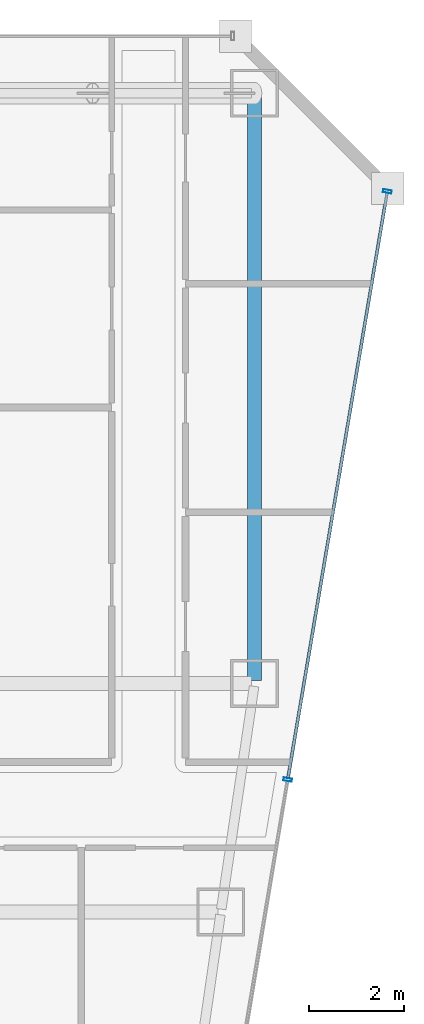
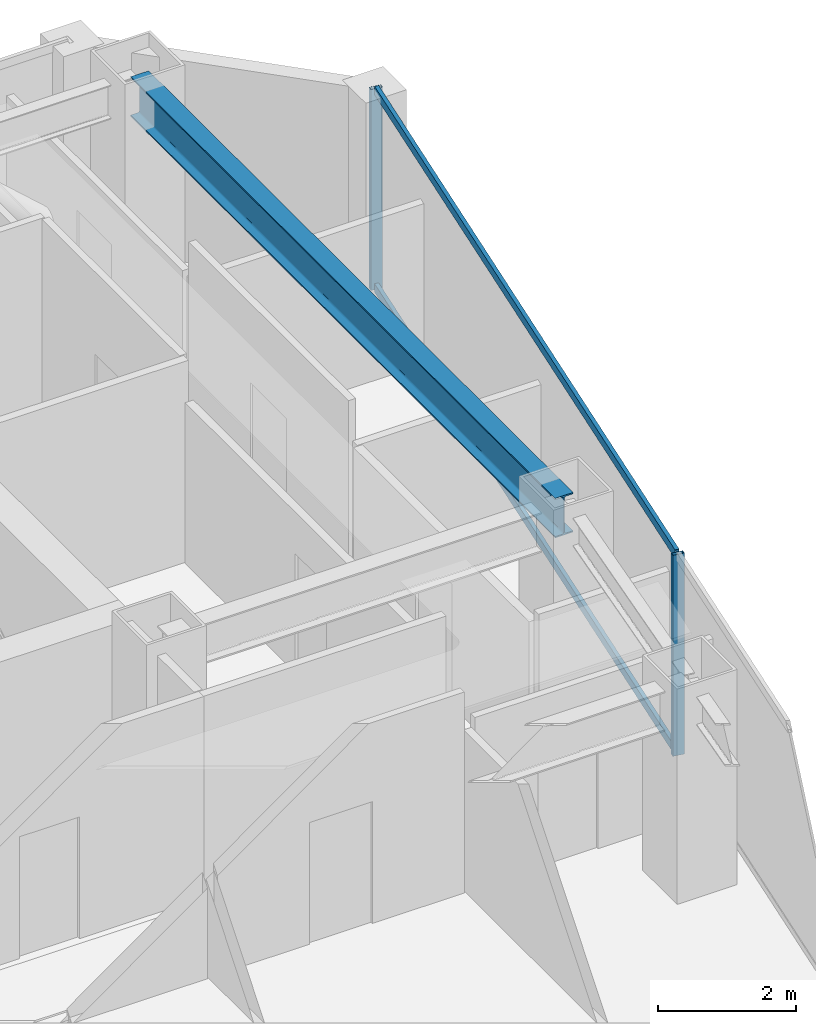
# One storey, part 19 of 31: 4 members, 1 beam, 1 element without a shape of its own.
"""IFC4 building model written with IfcOpenShell, lengths in metres."""

from ifc_helpers import new_model, si_unit, direction, frame, origin, origin_2d, place, context, subcontext, project, spatial, hollow_rectangle, i_section, extrude, material, material_profile, profile_set, type_object, element, aggregate, save


model = new_model("IFC4")

# Units and contexts
model_context = context("Model", 3, precision=1e-05, world=origin(), true_north=direction((0.0, 1.0)))
body_context = subcontext(model_context, "Body", "Model", "MODEL_VIEW")
ifc_project = project(units=[si_unit("LENGTHUNIT", "METRE"), si_unit("AREAUNIT", "SQUARE_METRE"), si_unit("VOLUMEUNIT", "CUBIC_METRE"), si_unit("PLANEANGLEUNIT", "RADIAN"), si_unit("MASSUNIT", "GRAM", prefix="KILO")], contexts=[model_context])

# Site, building, storey
site_placement = place(None, origin())
site = spatial("IfcSite", under=ifc_project, at=site_placement, CompositionType="ELEMENT")
building_placement = place(site_placement, origin())
building = spatial("IfcBuilding", under=site, at=building_placement, Name="Saevonmaru Cultural Tower", CompositionType="ELEMENT")
storey_placement = place(building_placement, frame((0.0, 0.0, 167.60009765625)))
storey = spatial("IfcBuildingStorey", under=building, at=storey_placement, Name="L37", CompositionType="ELEMENT", Elevation=167.60009765625)

# Beam
ifc_material_1 = material(Name="Steel SM355", Category="steel")
ifc_material_profile_1 = material_profile(ifc_material_1, i_section(OverallWidth=0.300048828125, OverallDepth=0.699951171875, WebThickness=0.012939453125, FlangeThickness=0.02392578125, FilletRadius=0.02587890625, at=origin_2d()), Name="H-700x300x13x24")
ifc_profile_set_1 = profile_set([ifc_material_profile_1], Name="Steel SM355")
beam_type = type_object("IfcBeamType", Name="BM-G-H700", PredefinedType="BEAM", material=ifc_profile_set_1)
beam_placement = place(storey_placement, frame((53.199951171875, 54.739990234375, 3.199951171875), z_axis=(0.0, -1.0, 0.0), x_axis=(1.0, 0.0, 0.0)))
element("IfcBeam", 1, at=beam_placement, inside=storey, type_object=beam_type, Name="L37 Spine Transverse Girder E", PredefinedType="BEAM", context=body_context, shape_type="SweptSolid", body=[
    extrude(i_section(OverallWidth=0.300048828125, OverallDepth=0.699951171875, WebThickness=0.012939453125, FlangeThickness=0.02392578125, FilletRadius=0.02587890625, at=origin_2d()), origin(), (0.0, 0.0, 1.0), 12.280029296875),
])

# Curtain wall, members
ifc_material_2 = material(Name="Satin Bronze Anodised Aluminium", Category="aluminium")
curtain_wall_type = type_object("IfcCurtainWallType", Name="CW-TYP-A", PredefinedType="NOTDEFINED", material=ifc_material_2)
curtain_wall_placement = place(storey_placement, origin())
curtain_wall = element("IfcCurtainWall", 2, at=curtain_wall_placement, inside=storey, type_object=curtain_wall_type, Name="L37 Unitised Curtain Wall E8", PredefinedType="NOTDEFINED")
ifc_material_profile_2 = material_profile(ifc_material_2, hollow_rectangle(XDim=0.06494140625, YDim=0.179931640625, WallThickness=0.00390625, at=origin_2d()), Name="ALU-MULL-180x65x4")
ifc_profile_set_2 = profile_set([ifc_material_profile_2], Name="Satin Bronze Anodised Aluminium")
member_type_1 = type_object("IfcMemberType", Name="ML-CW-180x65", PredefinedType="MULLION", material=ifc_profile_set_2)
member_1_placement = place(storey_placement, frame((53.8974609375, 40.38037109375, 0.0), z_axis=(0.0, 0.0, 1.0), x_axis=(0.16692169721, 0.985970155228, 0.0)))
member_1 = element("IfcMember", 3, at=member_1_placement, type_object=member_type_1, Name="CW-TW-L37-E8 mullion 3", PredefinedType="MULLION", context=body_context, shape_type="SweptSolid", body=[
    extrude(hollow_rectangle(XDim=0.06494140625, YDim=0.179931640625, WallThickness=0.00390625, at=origin_2d()), origin(), (0.0, 0.0, 1.0), 3.5498046875),
])
member_2_placement = place(storey_placement, frame((55.989990234375, 52.74072265625, 0.0), z_axis=(0.0, 0.0, 1.0), x_axis=(0.16692169721, 0.985970155228, 0.0)))
member_2 = element("IfcMember", 4, at=member_2_placement, type_object=member_type_1, Name="CW-TW-L37-E8 mullion 4", PredefinedType="MULLION", context=body_context, shape_type="SweptSolid", body=[
    extrude(hollow_rectangle(XDim=0.06494140625, YDim=0.179931640625, WallThickness=0.00390625, at=origin_2d()), origin(), (0.0, 0.0, 1.0), 3.5498046875),
])
ifc_material_profile_3 = material_profile(ifc_material_2, hollow_rectangle(XDim=0.06494140625, YDim=0.14990234375, WallThickness=0.00390625, at=origin_2d()), Name="ALU-TRAN-150x65x4")
ifc_profile_set_3 = profile_set([ifc_material_profile_3], Name="Satin Bronze Anodised Aluminium")
member_type_2 = type_object("IfcMemberType", Name="TR-CW-150x65", PredefinedType="USERDEFINED", material=ifc_profile_set_3)
member_3_placement = place(storey_placement, frame((53.90283203125, 40.412353515625, 0.032470703125), z_axis=(0.166925351203, 0.985969536611, 0.0), x_axis=(-0.985969536611, 0.166925351203, 0.0)))
member_3 = element("IfcMember", 5, at=member_3_placement, type_object=member_type_2, Name="CW-TW-L37-E8 transom 3.1", ObjectType="TRANSOM", PredefinedType="USERDEFINED", context=body_context, shape_type="SweptSolid", body=[
    extrude(hollow_rectangle(XDim=0.06494140625, YDim=0.14990234375, WallThickness=0.00390625, at=origin_2d()), origin(), (0.0, 0.0, 1.0), 12.471435546875),
])
member_4_placement = place(storey_placement, frame((53.90283203125, 40.412353515625, 3.517333984375), z_axis=(0.166925351203, 0.985969536611, 0.0), x_axis=(-0.985969536611, 0.166925351203, 0.0)))
member_4 = element("IfcMember", 6, at=member_4_placement, type_object=member_type_2, Name="CW-TW-L37-E8 transom 3.2", ObjectType="TRANSOM", PredefinedType="USERDEFINED", context=body_context, shape_type="SweptSolid", body=[
    extrude(hollow_rectangle(XDim=0.06494140625, YDim=0.14990234375, WallThickness=0.00390625, at=origin_2d()), origin(), (0.0, 0.0, 1.0), 12.471435546875),
])
aggregate(curtain_wall, [member_1, member_2, member_3, member_4])

save(model, "model.ifc")
